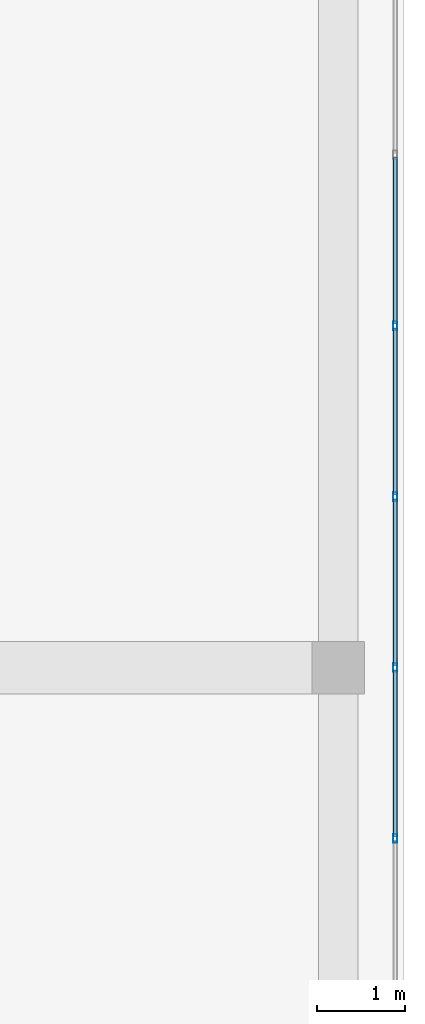
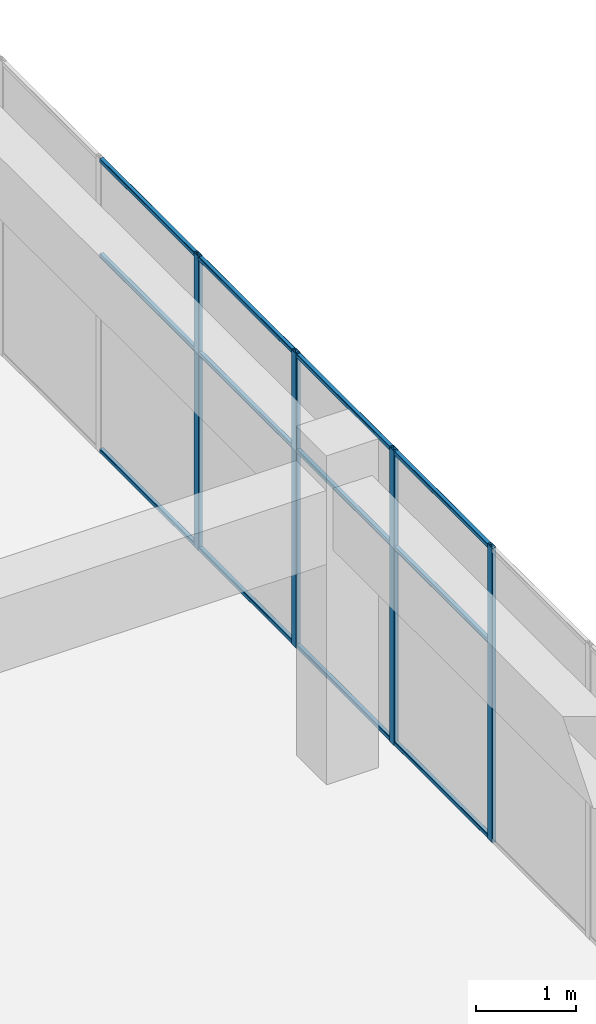
# One storey, part 19 of 35: 16 members, 1 element without a shape of its own.
"""IFC4 building model written with IfcOpenShell, lengths in metres."""

from ifc_helpers import new_model, si_unit, direction, frame, origin, origin_2d, place, context, subcontext, project, spatial, hollow_rectangle, extrude, material, layer, layer_set, material_profile, profile_set, type_object, element, aggregate, save


model = new_model("IFC4")

# Units and contexts
model_context = context("Model", 3, precision=1e-05, world=origin(), true_north=direction((0.0, 1.0)))
body_context = subcontext(model_context, "Body", "Model", "MODEL_VIEW")
ifc_project = project(units=[si_unit("LENGTHUNIT", "METRE"), si_unit("AREAUNIT", "SQUARE_METRE"), si_unit("VOLUMEUNIT", "CUBIC_METRE"), si_unit("PLANEANGLEUNIT", "RADIAN"), si_unit("MASSUNIT", "GRAM", prefix="KILO")], contexts=[model_context])

# Site, building, storey
site_placement = place(None, origin())
site = spatial("IfcSite", under=ifc_project, at=site_placement, CompositionType="ELEMENT")
building_placement = place(site_placement, origin())
building = spatial("IfcBuilding", under=site, at=building_placement, Name="Tuart Plaza Theatre", CompositionType="ELEMENT")
storey_placement = place(building_placement, frame((0.0, 0.0, 49.5)))
storey = spatial("IfcBuildingStorey", under=building, at=storey_placement, Name="L12", CompositionType="ELEMENT", Elevation=49.5)

# Curtain wall, members
ifc_material_1 = material(Name="Aluminium and glass", Category="aluminium")
ifc_layer = layer(ifc_material_1, 0.10009765625)
ifc_layer_set = layer_set([ifc_layer], Name="CURTAIN WALL 2000 module")
curtain_wall_type = type_object("IfcCurtainWallType", Name="CURTAIN WALL 2000 module", PredefinedType="NOTDEFINED", material=ifc_layer_set)
curtain_wall_placement = place(storey_placement, origin())
curtain_wall = element("IfcCurtainWall", 1, at=curtain_wall_placement, inside=storey, type_object=curtain_wall_type, Name="CW102", PredefinedType="NOTDEFINED")
ifc_material_2 = material(Name="Aluminium 6063-T5", Category="aluminium")
ifc_material_profile_1 = material_profile(ifc_material_2, hollow_rectangle(XDim=0.050048828125, YDim=0.10009765625, WallThickness=0.00390625, InnerFilletRadius=0.00390625, OuterFilletRadius=0.008056640625, at=origin_2d()), Name="RHS 100x50x4")
ifc_profile_set_1 = profile_set([ifc_material_profile_1], Name="Aluminium 6063-T5")
member_type_1 = type_object("IfcMemberType", Name="MULLION RHS 100x50x4", PredefinedType="MULLION", material=ifc_profile_set_1)
member_1_placement = place(storey_placement, frame((150.64990234375, 72.050048828125, 0.0), z_axis=(0.0, 0.0, 1.0), x_axis=(-1.0, 0.0, 0.0)))
member_1 = element("IfcMember", 2, at=member_1_placement, type_object=member_type_1, Name="CW102 mullion 5", PredefinedType="MULLION", context=body_context, shape_type="SweptSolid", body=[
    extrude(hollow_rectangle(XDim=0.050048828125, YDim=0.10009765625, WallThickness=0.00390625, InnerFilletRadius=0.00390625, OuterFilletRadius=0.008056640625, at=origin_2d()), origin(), (0.0, 0.0, 1.0), 3.580078125),
])
member_2_placement = place(storey_placement, frame((150.64990234375, 74.0, 0.0), z_axis=(0.0, 0.0, 1.0), x_axis=(-1.0, 0.0, 0.0)))
member_2 = element("IfcMember", 3, at=member_2_placement, type_object=member_type_1, Name="CW102 mullion 6", PredefinedType="MULLION", context=body_context, shape_type="SweptSolid", body=[
    extrude(hollow_rectangle(XDim=0.050048828125, YDim=0.10009765625, WallThickness=0.00390625, InnerFilletRadius=0.00390625, OuterFilletRadius=0.008056640625, at=origin_2d()), origin(), (0.0, 0.0, 1.0), 3.580078125),
])
member_3_placement = place(storey_placement, frame((150.64990234375, 75.949951171875, 0.0), z_axis=(0.0, 0.0, 1.0), x_axis=(-1.0, 0.0, 0.0)))
member_3 = element("IfcMember", 4, at=member_3_placement, type_object=member_type_1, Name="CW102 mullion 7", PredefinedType="MULLION", context=body_context, shape_type="SweptSolid", body=[
    extrude(hollow_rectangle(XDim=0.050048828125, YDim=0.10009765625, WallThickness=0.00390625, InnerFilletRadius=0.00390625, OuterFilletRadius=0.008056640625, at=origin_2d()), origin(), (0.0, 0.0, 1.0), 3.580078125),
])
member_4_placement = place(storey_placement, frame((150.64990234375, 77.89990234375, 0.0), z_axis=(0.0, 0.0, 1.0), x_axis=(-1.0, 0.0, 0.0)))
member_4 = element("IfcMember", 5, at=member_4_placement, type_object=member_type_1, Name="CW102 mullion 8", PredefinedType="MULLION", context=body_context, shape_type="SweptSolid", body=[
    extrude(hollow_rectangle(XDim=0.050048828125, YDim=0.10009765625, WallThickness=0.00390625, InnerFilletRadius=0.00390625, OuterFilletRadius=0.008056640625, at=origin_2d()), origin(), (0.0, 0.0, 1.0), 3.580078125),
])
ifc_material_3 = material(Name="Aluminium 6063-T5", Category="aluminium")
ifc_material_profile_2 = material_profile(ifc_material_3, hollow_rectangle(XDim=0.050048828125, YDim=0.050048828125, WallThickness=0.00390625, InnerFilletRadius=0.00390625, OuterFilletRadius=0.008056640625, at=origin_2d()), Name="RHS 50x50x4")
ifc_profile_set_2 = profile_set([ifc_material_profile_2], Name="Aluminium 6063-T5")
member_type_2 = type_object("IfcMemberType", Name="TRANSOM RHS 50x50x4", PredefinedType="USERDEFINED", material=ifc_profile_set_2)
member_5_placement = place(storey_placement, frame((150.64990234375, 72.074951171875, 0.02490234375), z_axis=(0.0, 1.0, 0.0), x_axis=(-1.0, 0.0, 0.0)))
member_5 = element("IfcMember", 6, at=member_5_placement, type_object=member_type_2, Name="CW102 transom 5.1", ObjectType="TRANSOM", PredefinedType="USERDEFINED", context=body_context, shape_type="SweptSolid", body=[
    extrude(hollow_rectangle(XDim=0.050048828125, YDim=0.050048828125, WallThickness=0.00390625, InnerFilletRadius=0.00390625, OuterFilletRadius=0.008056640625, at=origin_2d()), origin(), (0.0, 0.0, 1.0), 1.900146484375),
])
member_6_placement = place(storey_placement, frame((150.64990234375, 72.074951171875, 2.39990234375), z_axis=(0.0, 1.0, 0.0), x_axis=(-1.0, 0.0, 0.0)))
member_6 = element("IfcMember", 7, at=member_6_placement, type_object=member_type_2, Name="CW102 transom 5.2", ObjectType="TRANSOM", PredefinedType="USERDEFINED", context=body_context, shape_type="SweptSolid", body=[
    extrude(hollow_rectangle(XDim=0.050048828125, YDim=0.050048828125, WallThickness=0.00390625, InnerFilletRadius=0.00390625, OuterFilletRadius=0.008056640625, at=origin_2d()), origin(), (0.0, 0.0, 1.0), 1.900146484375),
])
member_7_placement = place(storey_placement, frame((150.64990234375, 72.074951171875, 3.554931640625), z_axis=(0.0, 1.0, 0.0), x_axis=(-1.0, 0.0, 0.0)))
member_7 = element("IfcMember", 8, at=member_7_placement, type_object=member_type_2, Name="CW102 transom 5.3", ObjectType="TRANSOM", PredefinedType="USERDEFINED", context=body_context, shape_type="SweptSolid", body=[
    extrude(hollow_rectangle(XDim=0.050048828125, YDim=0.050048828125, WallThickness=0.00390625, InnerFilletRadius=0.00390625, OuterFilletRadius=0.008056640625, at=origin_2d()), origin(), (0.0, 0.0, 1.0), 1.900146484375),
])
member_8_placement = place(storey_placement, frame((150.64990234375, 74.02490234375, 0.02490234375), z_axis=(0.0, 1.0, 0.0), x_axis=(-1.0, 0.0, 0.0)))
member_8 = element("IfcMember", 9, at=member_8_placement, type_object=member_type_2, Name="CW102 transom 6.1", ObjectType="TRANSOM", PredefinedType="USERDEFINED", context=body_context, shape_type="SweptSolid", body=[
    extrude(hollow_rectangle(XDim=0.050048828125, YDim=0.050048828125, WallThickness=0.00390625, InnerFilletRadius=0.00390625, OuterFilletRadius=0.008056640625, at=origin_2d()), origin(), (0.0, 0.0, 1.0), 1.900146484375),
])
member_9_placement = place(storey_placement, frame((150.64990234375, 74.02490234375, 2.39990234375), z_axis=(0.0, 1.0, 0.0), x_axis=(-1.0, 0.0, 0.0)))
member_9 = element("IfcMember", 10, at=member_9_placement, type_object=member_type_2, Name="CW102 transom 6.2", ObjectType="TRANSOM", PredefinedType="USERDEFINED", context=body_context, shape_type="SweptSolid", body=[
    extrude(hollow_rectangle(XDim=0.050048828125, YDim=0.050048828125, WallThickness=0.00390625, InnerFilletRadius=0.00390625, OuterFilletRadius=0.008056640625, at=origin_2d()), origin(), (0.0, 0.0, 1.0), 1.900146484375),
])
member_10_placement = place(storey_placement, frame((150.64990234375, 74.02490234375, 3.554931640625), z_axis=(0.0, 1.0, 0.0), x_axis=(-1.0, 0.0, 0.0)))
member_10 = element("IfcMember", 11, at=member_10_placement, type_object=member_type_2, Name="CW102 transom 6.3", ObjectType="TRANSOM", PredefinedType="USERDEFINED", context=body_context, shape_type="SweptSolid", body=[
    extrude(hollow_rectangle(XDim=0.050048828125, YDim=0.050048828125, WallThickness=0.00390625, InnerFilletRadius=0.00390625, OuterFilletRadius=0.008056640625, at=origin_2d()), origin(), (0.0, 0.0, 1.0), 1.900146484375),
])
member_11_placement = place(storey_placement, frame((150.64990234375, 75.97509765625, 0.02490234375), z_axis=(0.0, 1.0, 0.0), x_axis=(-1.0, 0.0, 0.0)))
member_11 = element("IfcMember", 12, at=member_11_placement, type_object=member_type_2, Name="CW102 transom 7.1", ObjectType="TRANSOM", PredefinedType="USERDEFINED", context=body_context, shape_type="SweptSolid", body=[
    extrude(hollow_rectangle(XDim=0.050048828125, YDim=0.050048828125, WallThickness=0.00390625, InnerFilletRadius=0.00390625, OuterFilletRadius=0.008056640625, at=origin_2d()), origin(), (0.0, 0.0, 1.0), 1.89990234375),
])
member_12_placement = place(storey_placement, frame((150.64990234375, 75.97509765625, 2.39990234375), z_axis=(0.0, 1.0, 0.0), x_axis=(-1.0, 0.0, 0.0)))
member_12 = element("IfcMember", 13, at=member_12_placement, type_object=member_type_2, Name="CW102 transom 7.2", ObjectType="TRANSOM", PredefinedType="USERDEFINED", context=body_context, shape_type="SweptSolid", body=[
    extrude(hollow_rectangle(XDim=0.050048828125, YDim=0.050048828125, WallThickness=0.00390625, InnerFilletRadius=0.00390625, OuterFilletRadius=0.008056640625, at=origin_2d()), origin(), (0.0, 0.0, 1.0), 1.89990234375),
])
member_13_placement = place(storey_placement, frame((150.64990234375, 75.97509765625, 3.554931640625), z_axis=(0.0, 1.0, 0.0), x_axis=(-1.0, 0.0, 0.0)))
member_13 = element("IfcMember", 14, at=member_13_placement, type_object=member_type_2, Name="CW102 transom 7.3", ObjectType="TRANSOM", PredefinedType="USERDEFINED", context=body_context, shape_type="SweptSolid", body=[
    extrude(hollow_rectangle(XDim=0.050048828125, YDim=0.050048828125, WallThickness=0.00390625, InnerFilletRadius=0.00390625, OuterFilletRadius=0.008056640625, at=origin_2d()), origin(), (0.0, 0.0, 1.0), 1.89990234375),
])
member_14_placement = place(storey_placement, frame((150.64990234375, 77.925048828125, 0.02490234375), z_axis=(0.0, 1.0, 0.0), x_axis=(-1.0, 0.0, 0.0)))
member_14 = element("IfcMember", 15, at=member_14_placement, type_object=member_type_2, Name="CW102 transom 8.1", ObjectType="TRANSOM", PredefinedType="USERDEFINED", context=body_context, shape_type="SweptSolid", body=[
    extrude(hollow_rectangle(XDim=0.050048828125, YDim=0.050048828125, WallThickness=0.00390625, InnerFilletRadius=0.00390625, OuterFilletRadius=0.008056640625, at=origin_2d()), origin(), (0.0, 0.0, 1.0), 1.89990234375),
])
member_15_placement = place(storey_placement, frame((150.64990234375, 77.925048828125, 2.39990234375), z_axis=(0.0, 1.0, 0.0), x_axis=(-1.0, 0.0, 0.0)))
member_15 = element("IfcMember", 16, at=member_15_placement, type_object=member_type_2, Name="CW102 transom 8.2", ObjectType="TRANSOM", PredefinedType="USERDEFINED", context=body_context, shape_type="SweptSolid", body=[
    extrude(hollow_rectangle(XDim=0.050048828125, YDim=0.050048828125, WallThickness=0.00390625, InnerFilletRadius=0.00390625, OuterFilletRadius=0.008056640625, at=origin_2d()), origin(), (0.0, 0.0, 1.0), 1.89990234375),
])
member_16_placement = place(storey_placement, frame((150.64990234375, 77.925048828125, 3.554931640625), z_axis=(0.0, 1.0, 0.0), x_axis=(-1.0, 0.0, 0.0)))
member_16 = element("IfcMember", 17, at=member_16_placement, type_object=member_type_2, Name="CW102 transom 8.3", ObjectType="TRANSOM", PredefinedType="USERDEFINED", context=body_context, shape_type="SweptSolid", body=[
    extrude(hollow_rectangle(XDim=0.050048828125, YDim=0.050048828125, WallThickness=0.00390625, InnerFilletRadius=0.00390625, OuterFilletRadius=0.008056640625, at=origin_2d()), origin(), (0.0, 0.0, 1.0), 1.89990234375),
])
aggregate(curtain_wall, [member_1, member_2, member_3, member_4, member_5, member_6, member_7, member_8, member_9, member_10, member_11, member_12, member_13, member_14, member_15, member_16])

save(model, "model.ifc")
